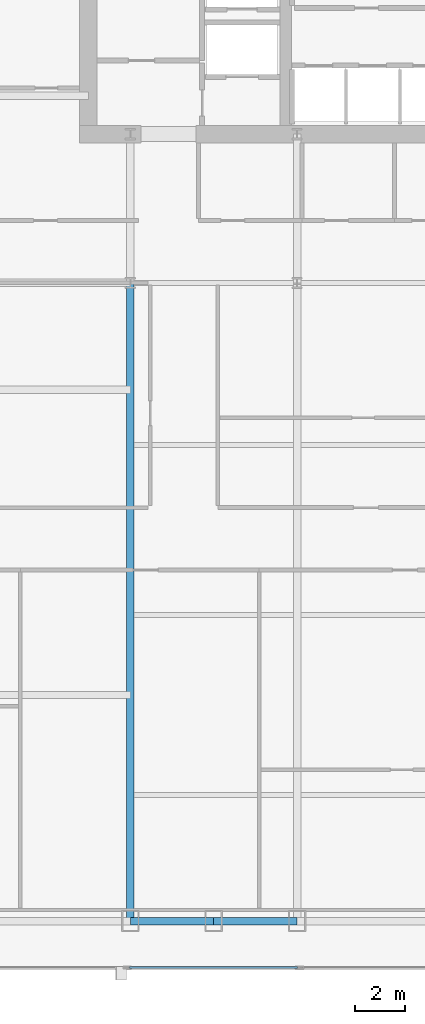
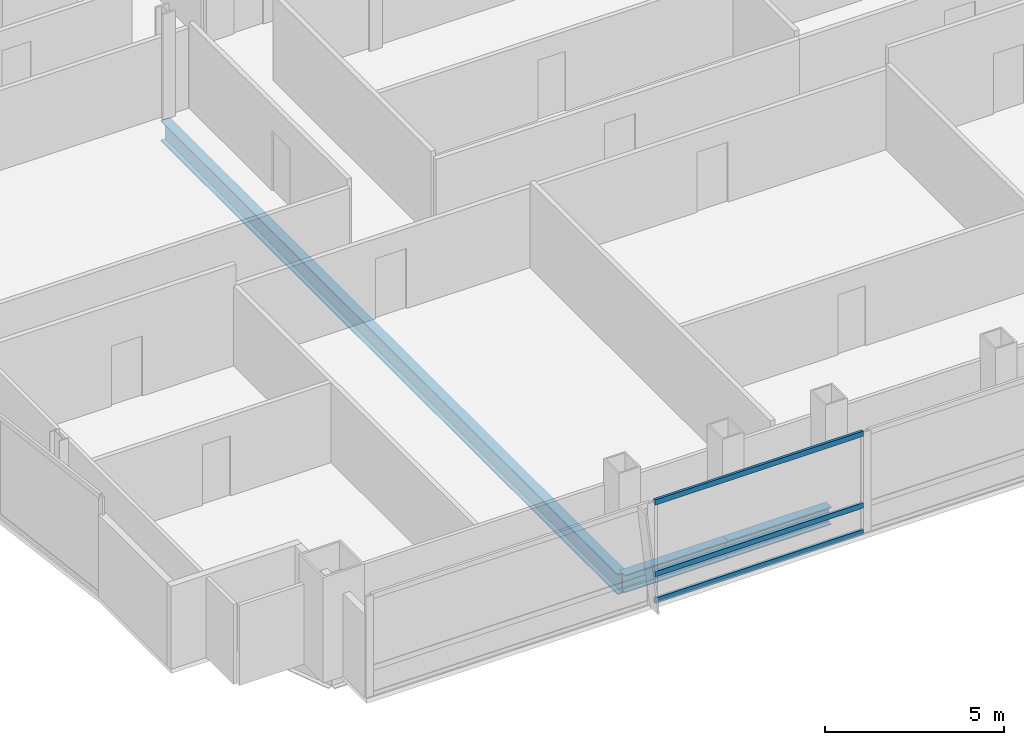
# One storey, part 7 of 29: 3 beams, 3 members, 1 element without a shape of its own.
"""IFC4 building model written with IfcOpenShell, lengths in metres."""

from ifc_helpers import new_model, si_unit, direction, frame, origin, origin_2d, place, context, subcontext, project, spatial, hollow_rectangle, i_section, extrude, material, material_profile, profile_set, type_object, element, aggregate, save


model = new_model("IFC4")

# Units and contexts
model_context = context("Model", 3, precision=1e-05, world=origin(), true_north=direction((0.0, 1.0)))
body_context = subcontext(model_context, "Body", "Model", "MODEL_VIEW")
ifc_project = project(units=[si_unit("LENGTHUNIT", "METRE"), si_unit("AREAUNIT", "SQUARE_METRE"), si_unit("VOLUMEUNIT", "CUBIC_METRE"), si_unit("PLANEANGLEUNIT", "RADIAN"), si_unit("MASSUNIT", "GRAM", prefix="KILO")], contexts=[model_context])

# Site, building, storey
site_placement = place(None, origin())
site = spatial("IfcSite", under=ifc_project, at=site_placement, CompositionType="ELEMENT")
building_placement = place(site_placement, origin())
building = spatial("IfcBuilding", under=site, at=building_placement, Name="Khoronbel Lancet Exchange", CompositionType="ELEMENT")
storey_placement = place(building_placement, frame((0.0, 0.0, 139.800048828125)))
storey = spatial("IfcBuildingStorey", under=building, at=storey_placement, Name="L34", CompositionType="ELEMENT", Elevation=139.800048828125)

# Beams
ifc_material_1 = material(Name="Steel S355", Category="steel")
ifc_material_profile_1 = material_profile(ifc_material_1, i_section(OverallWidth=0.300048828125, OverallDepth=0.699951171875, WebThickness=0.01708984375, FlangeThickness=0.031982421875, at=origin_2d()), Name="HEB 700")
ifc_profile_set_1 = profile_set([ifc_material_profile_1], Name="Steel S355")
beam_type_1 = type_object("IfcBeamType", Name="BM-BG3", PredefinedType="BEAM", material=ifc_profile_set_1)
beam_placement = place(storey_placement, frame((18.22509765625, 10.14990234375, -0.510009765625), z_axis=(0.0, 1.0, 0.0), x_axis=(-1.0, 0.0, 0.0)))
element("IfcBeam", 1, at=beam_placement, inside=storey, type_object=beam_type_1, Name="Level L34 south primary girder GS1", PredefinedType="BEAM", context=body_context, shape_type="SweptSolid", body=[
    extrude(i_section(OverallWidth=0.300048828125, OverallDepth=0.699951171875, WebThickness=0.01708984375, FlangeThickness=0.031982421875, at=origin_2d()), origin(), (0.0, 0.0, 1.0), 25.550048828125),
])
ifc_material_profile_2 = material_profile(ifc_material_1, i_section(OverallWidth=0.300048828125, OverallDepth=0.60009765625, WebThickness=0.015380859375, FlangeThickness=0.030029296875, at=origin_2d()), Name="HEB 600")
ifc_profile_set_2 = profile_set([ifc_material_profile_2], Name="Steel S355")
beam_type_2 = type_object("IfcBeamType", Name="BM-BSP2", PredefinedType="SPANDREL", material=ifc_profile_set_2)
for number, where, z_axis, x_axis, name in (
    (2, (18.22509765625, 10.14990234375, -0.4599609375), (1.0, 0.0, 0.0), (0.0, 1.0, 0.0), "Level L34 perimeter spandrel beam SP02"),
    (3, (21.5625, 10.14990234375, -0.4599609375), (1.0, 0.0, 0.0), (0.0, 1.0, 0.0), "Level L34 perimeter spandrel beam SP03"),
):
    element("IfcBeam", number, at=place(storey_placement, frame(where, z_axis=z_axis, x_axis=x_axis)), inside=storey, type_object=beam_type_2, Name=name, PredefinedType="SPANDREL", context=body_context, shape_type="SweptSolid", body=[
        extrude(i_section(OverallWidth=0.300048828125, OverallDepth=0.60009765625, WebThickness=0.015380859375, FlangeThickness=0.030029296875, at=origin_2d()), origin(), (0.0, 0.0, 1.0), 3.33740234375),
    ])

# Curtain wall, members
ifc_material_2 = material(Name="Low-E Solar Control Insulating Glass", Category="glass")
curtain_wall_type = type_object("IfcCurtainWallType", Name="CW-3", PredefinedType="NOTDEFINED", material=ifc_material_2)
curtain_wall_placement = place(storey_placement, origin())
curtain_wall = element("IfcCurtainWall", 4, at=curtain_wall_placement, inside=storey, type_object=curtain_wall_type, Name="Unitised curtain wall CW-L34-SWB", PredefinedType="NOTDEFINED")
ifc_material_3 = material(Name="Bronze-Anodised Aluminium 6063-T6", Category="aluminium")
ifc_material_profile_3 = material_profile(ifc_material_3, hollow_rectangle(XDim=0.0849609375, YDim=0.179931640625, WallThickness=0.0048828125, at=origin_2d()), Name="ALU TRANSOM 85x180")
ifc_profile_set_3 = profile_set([ifc_material_profile_3], Name="Bronze-Anodised Aluminium 6063-T6")
member_type = type_object("IfcMemberType", Name="MEM-CWT1", PredefinedType="USERDEFINED", material=ifc_profile_set_3)
member_1_placement = place(storey_placement, frame((18.18505859375, 8.2900390625, 0.04248046875), z_axis=(1.0, 0.0, 0.0), x_axis=(0.0, 1.0, 0.0)))
member_1 = element("IfcMember", 5, at=member_1_placement, type_object=member_type, Name="CW3 transom 1.1", ObjectType="TRANSOM", PredefinedType="USERDEFINED", context=body_context, shape_type="SweptSolid", body=[
    extrude(hollow_rectangle(XDim=0.0849609375, YDim=0.179931640625, WallThickness=0.0048828125, at=origin_2d()), origin(), (0.0, 0.0, 1.0), 6.72998046875),
])
member_2_placement = place(storey_placement, frame((18.18505859375, 8.2900390625, 0.949951171875), z_axis=(1.0, 0.0, 0.0), x_axis=(0.0, 1.0, 0.0)))
member_2 = element("IfcMember", 6, at=member_2_placement, type_object=member_type, Name="CW3 transom 1.2", ObjectType="TRANSOM", PredefinedType="USERDEFINED", context=body_context, shape_type="SweptSolid", body=[
    extrude(hollow_rectangle(XDim=0.0849609375, YDim=0.179931640625, WallThickness=0.0048828125, at=origin_2d()), origin(), (0.0, 0.0, 1.0), 6.72998046875),
])
member_3_placement = place(storey_placement, frame((18.18505859375, 8.2900390625, 3.3974609375), z_axis=(1.0, 0.0, 0.0), x_axis=(0.0, 1.0, 0.0)))
member_3 = element("IfcMember", 7, at=member_3_placement, type_object=member_type, Name="CW3 transom 1.3", ObjectType="TRANSOM", PredefinedType="USERDEFINED", context=body_context, shape_type="SweptSolid", body=[
    extrude(hollow_rectangle(XDim=0.0849609375, YDim=0.179931640625, WallThickness=0.0048828125, at=origin_2d()), origin(), (0.0, 0.0, 1.0), 6.72998046875),
])
aggregate(curtain_wall, [member_1, member_2, member_3])

save(model, "model.ifc")
